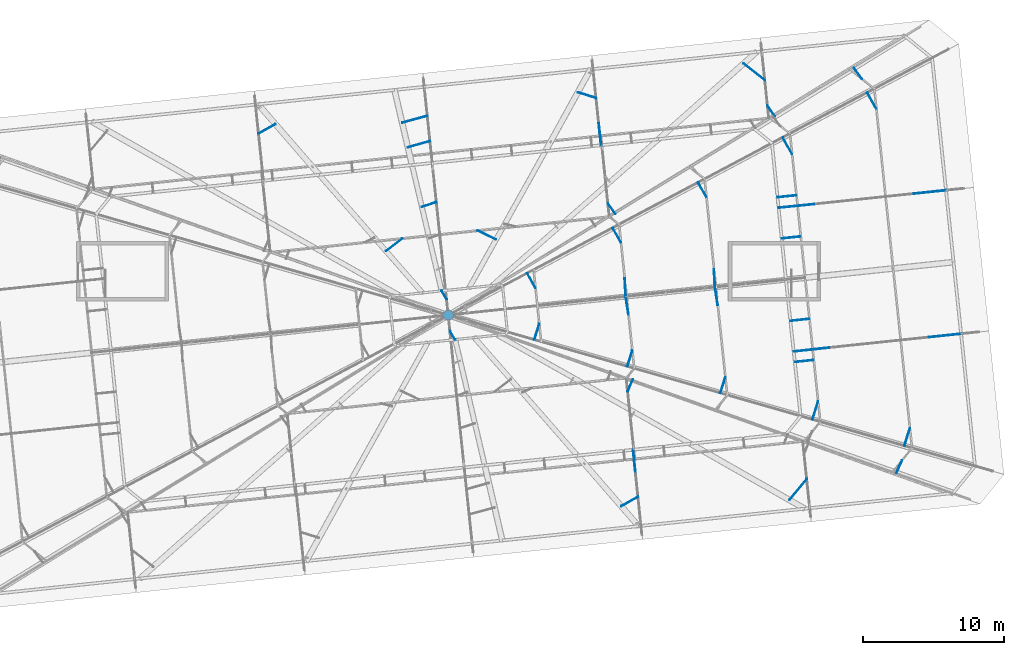
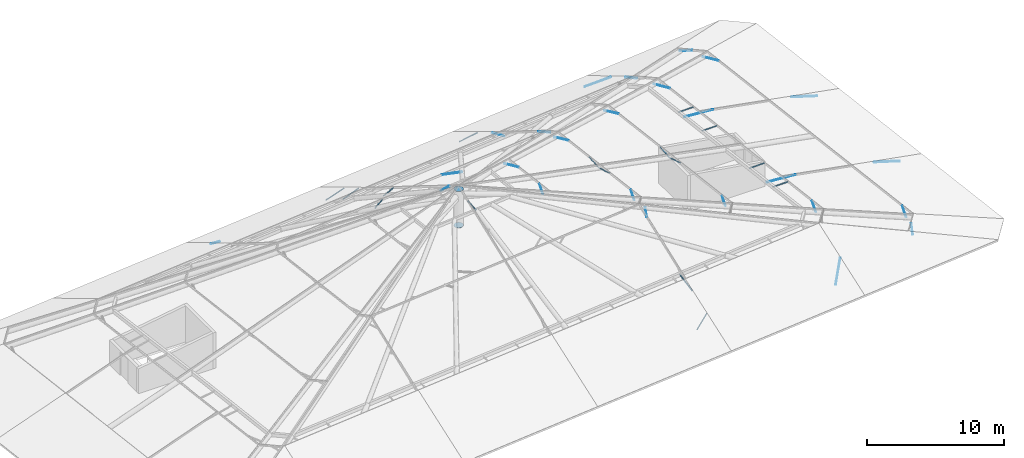
# One storey, part 8 of 20: 43 discrete accessories.
"""IFC4 building model written with IfcOpenShell, lengths in metres."""

from ifc_helpers import new_model, si_unit, direction, frame, origin, origin_2d, place, context, subcontext, project, spatial, rectangle, circle, extrude, material, material_profile, profile_set, type_object, element, save


model = new_model("IFC4")

# Units and contexts
model_context = context("Model", 3, precision=1e-05, world=origin(), true_north=direction((0.0, 1.0)))
body_context = subcontext(model_context, "Body", "Model", "MODEL_VIEW")
ifc_project = project(units=[si_unit("LENGTHUNIT", "METRE"), si_unit("AREAUNIT", "SQUARE_METRE"), si_unit("VOLUMEUNIT", "CUBIC_METRE"), si_unit("PLANEANGLEUNIT", "RADIAN"), si_unit("MASSUNIT", "GRAM", prefix="KILO")], contexts=[model_context])

# Site, building, storey
site_placement = place(None, origin())
site = spatial("IfcSite", under=ifc_project, at=site_placement, CompositionType="ELEMENT")
building_placement = place(site_placement, origin())
building = spatial("IfcBuilding", under=site, at=building_placement, Name="Hakoniwa Tower and Hamabe Station Hall", CompositionType="ELEMENT")
storey_placement = place(building_placement, frame((0.0, 0.0, 285.0)))
storey = spatial("IfcBuildingStorey", under=building, at=storey_placement, Name="Roof", CompositionType="ELEMENT", Elevation=285.0)

# Discrete accessories
ifc_material_1 = material(Name="Stainless steel SUS304", Category="steel")
ifc_material_profile_1 = material_profile(ifc_material_1, rectangle(XDim=0.050048828125, YDim=0.050048828125, at=origin_2d()), Name="CW-4 GLAZING BRACKET 50X50")
ifc_profile_set_1 = profile_set([ifc_material_profile_1], Name="Stainless steel SUS304")
discrete_accessory_type_1 = type_object("IfcDiscreteAccessoryType", Name="CW-4 GLAZING BRACKET 50X50", PredefinedType="BRACKET", material=ifc_profile_set_1)
discrete_accessory_1_placement = place(storey_placement, frame((0.12060546875, 1.351806640625, 9.220458984375), z_axis=(0.391815806953, -0.630071479464, -0.670440380786), x_axis=(0.849194817947, 0.528079692065, 0.0)))
element("IfcDiscreteAccessory", 1, at=discrete_accessory_1_placement, inside=storey, type_object=discrete_accessory_type_1, Name="Glazing bracket", PredefinedType="BRACKET", context=body_context, shape_type="SweptSolid", body=[
    extrude(rectangle(XDim=0.050048828125, YDim=0.050048828125, at=origin_2d()), origin(), (0.0, 0.0, 1.0), 0.92529296875),
])
discrete_accessory_2_placement = place(storey_placement, frame((12.75341796875, -2.923583984375, 5.94921875), z_axis=(0.377320566867, 0.901136289674, 0.213500766397), x_axis=(-0.922404260302, 0.386225815524, 0.0)))
element("IfcDiscreteAccessory", 2, at=discrete_accessory_2_placement, inside=storey, type_object=discrete_accessory_type_1, Name="Glazing bracket", PredefinedType="BRACKET", context=body_context, shape_type="SweptSolid", body=[
    extrude(rectangle(XDim=0.050048828125, YDim=0.050048828125, at=origin_2d()), origin(), (0.0, 0.0, 1.0), 0.958251953125),
])
discrete_accessory_3_placement = place(storey_placement, frame((-0.8447265625, 10.53759765625, 5.155029296875), z_axis=(-0.940744946867, -0.307474826604, -0.143032080143), x_axis=(0.310669109987, -0.950518124025, 0.0)))
element("IfcDiscreteAccessory", 3, at=discrete_accessory_3_placement, inside=storey, type_object=discrete_accessory_type_1, Name="Glazing bracket", PredefinedType="BRACKET", context=body_context, shape_type="SweptSolid", body=[
    extrude(rectangle(XDim=0.050048828125, YDim=0.050048828125, at=origin_2d()), origin(), (0.0, 0.0, 1.0), 1.10595703125),
])
discrete_accessory_4_placement = place(storey_placement, frame((-0.12060546875, 3.648193359375, 9.220458984375), z_axis=(-0.391815806953, 0.630071479464, -0.670440380786), x_axis=(-0.849194817947, -0.528079692065, 0.0)))
element("IfcDiscreteAccessory", 4, at=discrete_accessory_4_placement, inside=storey, type_object=discrete_accessory_type_1, Name="Glazing bracket", PredefinedType="BRACKET", context=body_context, shape_type="SweptSolid", body=[
    extrude(rectangle(XDim=0.050048828125, YDim=0.050048828125, at=origin_2d()), origin(), (0.0, 0.0, 1.0), 0.92529296875),
])
discrete_accessory_5_placement = place(storey_placement, frame((11.346923828125, 10.45654296875, 5.94921875), z_axis=(0.556518453316, -0.802925662271, 0.213535926685), x_axis=(0.821882201183, 0.569657482509, 0.0)))
element("IfcDiscreteAccessory", 5, at=discrete_accessory_5_placement, inside=storey, type_object=discrete_accessory_type_1, Name="Glazing bracket", PredefinedType="BRACKET", context=body_context, shape_type="SweptSolid", body=[
    extrude(rectangle(XDim=0.050048828125, YDim=0.050048828125, at=origin_2d()), origin(), (0.0, 0.0, 1.0), 0.9580078125),
])
discrete_accessory_6_placement = place(storey_placement, frame((13.29833984375, -8.617919921875, 2.616943359375), z_axis=(-0.097948433846, 0.93175460836, 0.349627593458), x_axis=(-0.994520000223, -0.104546492795, 0.0)))
element("IfcDiscreteAccessory", 6, at=discrete_accessory_6_placement, inside=storey, type_object=discrete_accessory_type_1, Name="Glazing bracket", PredefinedType="BRACKET", context=body_context, shape_type="SweptSolid", body=[
    extrude(rectangle(XDim=0.050048828125, YDim=0.050048828125, at=origin_2d()), origin(), (0.0, 0.0, 1.0), 1.66748046875),
])
discrete_accessory_7_placement = place(storey_placement, frame((13.48681640625, -10.411376953125, 1.606201171875), z_axis=(-0.799200015145, -0.448997961845, -0.399600007572), x_axis=(0.489803701114, -0.871832744496, 0.0)))
element("IfcDiscreteAccessory", 7, at=discrete_accessory_7_placement, inside=storey, type_object=discrete_accessory_type_1, Name="Glazing bracket", PredefinedType="BRACKET", context=body_context, shape_type="SweptSolid", body=[
    extrude(rectangle(XDim=0.050048828125, YDim=0.050048828125, at=origin_2d()), origin(), (0.0, 0.0, 1.0), 1.49267578125),
])
discrete_accessory_8_placement = place(storey_placement, frame((25.484130859375, -9.150390625, 1.606201171875), z_axis=(-0.563229543667, -0.675165452581, -0.476365503349), x_axis=(0.76789023079, -0.640581449511, 0.0)))
element("IfcDiscreteAccessory", 8, at=discrete_accessory_8_placement, inside=storey, type_object=discrete_accessory_type_1, Name="Glazing bracket", PredefinedType="BRACKET", context=body_context, shape_type="SweptSolid", body=[
    extrude(rectangle(XDim=0.050048828125, YDim=0.050048828125, at=origin_2d()), origin(), (0.0, 0.0, 1.0), 2.20068359375),
])
discrete_accessory_9_placement = place(storey_placement, frame((-13.48681640625, 15.411376953125, 1.606201171875), z_axis=(0.799200015145, 0.448997961845, -0.399600007572), x_axis=(-0.489803701114, 0.871832744496, 0.0)))
element("IfcDiscreteAccessory", 9, at=discrete_accessory_9_placement, inside=storey, type_object=discrete_accessory_type_1, Name="Glazing bracket", PredefinedType="BRACKET", context=body_context, shape_type="SweptSolid", body=[
    extrude(rectangle(XDim=0.050048828125, YDim=0.050048828125, at=origin_2d()), origin(), (0.0, 0.0, 1.0), 1.49267578125),
])
discrete_accessory_10_placement = place(storey_placement, frame((-1.489501953125, 16.67236328125, 1.606201171875), z_axis=(-0.962515279672, -0.262943753252, -0.066520064814), x_axis=(0.263527443462, -0.964651899154, 0.0)))
element("IfcDiscreteAccessory", 10, at=discrete_accessory_10_placement, inside=storey, type_object=discrete_accessory_type_1, Name="Glazing bracket", PredefinedType="BRACKET", context=body_context, shape_type="SweptSolid", body=[
    extrude(rectangle(XDim=0.050048828125, YDim=0.050048828125, at=origin_2d()), origin(), (0.0, 0.0, 1.0), 1.8681640625),
])
discrete_accessory_11_placement = place(storey_placement, frame((-1.301025390625, 14.87890625, 2.616943359375), z_axis=(-0.958908684136, -0.27136685491, -0.082789887939), x_axis=(0.272301659819, -0.962211934067, 0.0)))
element("IfcDiscreteAccessory", 11, at=discrete_accessory_11_placement, inside=storey, type_object=discrete_accessory_type_1, Name="Glazing bracket", PredefinedType="BRACKET", context=body_context, shape_type="SweptSolid", body=[
    extrude(rectangle(XDim=0.050048828125, YDim=0.050048828125, at=origin_2d()), origin(), (0.0, 0.0, 1.0), 1.6455078125),
])
discrete_accessory_12_placement = place(storey_placement, frame((10.507568359375, 17.933349609375, 1.606201171875), z_axis=(-0.875057424152, 0.273036238719, -0.399656998916), x_axis=(-0.297858334336, -0.954610084101, 0.0)))
element("IfcDiscreteAccessory", 12, at=discrete_accessory_12_placement, inside=storey, type_object=discrete_accessory_type_1, Name="Glazing bracket", PredefinedType="BRACKET", context=body_context, shape_type="SweptSolid", body=[
    extrude(rectangle(XDim=0.050048828125, YDim=0.050048828125, at=origin_2d()), origin(), (0.0, 0.0, 1.0), 1.492431640625),
])
discrete_accessory_13_placement = place(storey_placement, frame((10.696044921875, 16.139892578125, 2.616943359375), z_axis=(0.097948433846, -0.93175460836, 0.349627593458), x_axis=(0.994520000223, 0.104546492795, 0.0)))
element("IfcDiscreteAccessory", 13, at=discrete_accessory_13_placement, inside=storey, type_object=discrete_accessory_type_1, Name="Glazing bracket", PredefinedType="BRACKET", context=body_context, shape_type="SweptSolid", body=[
    extrude(rectangle(XDim=0.050048828125, YDim=0.050048828125, at=origin_2d()), origin(), (0.0, 0.0, 1.0), 1.66748046875),
])
discrete_accessory_14_placement = place(storey_placement, frame((22.5048828125, 19.1943359375, 1.606201171875), z_axis=(-0.691291182379, 0.543292075126, -0.476392928444), x_axis=(-0.617916283925, -0.786243897312, 0.0)))
element("IfcDiscreteAccessory", 14, at=discrete_accessory_14_placement, inside=storey, type_object=discrete_accessory_type_1, Name="Glazing bracket", PredefinedType="BRACKET", context=body_context, shape_type="SweptSolid", body=[
    extrude(rectangle(XDim=0.050048828125, YDim=0.050048828125, at=origin_2d()), origin(), (0.0, 0.0, 1.0), 2.20068359375),
])
discrete_accessory_15_placement = place(storey_placement, frame((22.693359375, 17.40087890625, 2.616943359375), z_axis=(0.551562919111, -0.814435459284, 0.180203298868), x_axis=(0.827990165811, 0.560742619497, 0.0)))
element("IfcDiscreteAccessory", 15, at=discrete_accessory_15_placement, inside=storey, type_object=discrete_accessory_type_1, Name="Glazing bracket", PredefinedType="BRACKET", context=body_context, shape_type="SweptSolid", body=[
    extrude(rectangle(XDim=0.050048828125, YDim=0.050048828125, at=origin_2d()), origin(), (0.0, 0.0, 1.0), 0.936279296875),
])
for number, where, z_axis, x_axis, name in (
    (16, (6.192626953125, 4.442626953125, 8.212158203125), (-0.487143079616, 0.868731686407, -0.089425259376), (-0.872226229733, -0.489102651972, 0.0), "Glazing bracket"),
    (17, (6.461181640625, 1.88720703125, 8.212158203125), (-0.295847336037, -0.951039952561, -0.089427973212), (0.954865821134, -0.297037478494, 0.0), "Glazing bracket"),
):
    element("IfcDiscreteAccessory", number, at=place(storey_placement, frame(where, z_axis=z_axis, x_axis=x_axis)), inside=storey, type_object=discrete_accessory_type_1, Name=name, PredefinedType="BRACKET", context=body_context, shape_type="SweptSolid", body=[
        extrude(rectangle(XDim=0.050048828125, YDim=0.050048828125, at=origin_2d()), origin(), (0.0, 0.0, 1.0), 1.19580078125),
    ])
discrete_accessory_16_placement = place(storey_placement, frame((12.27001953125, 7.67138671875, 6.51220703125), z_axis=(-0.488732317078, 0.866685308952, -0.099986486536), x_axis=(-0.871050320527, -0.491193789771, 0.0)))
element("IfcDiscreteAccessory", 18, at=discrete_accessory_16_placement, inside=storey, type_object=discrete_accessory_type_1, Name="Glazing bracket", PredefinedType="BRACKET", context=body_context, shape_type="SweptSolid", body=[
    extrude(rectangle(XDim=0.050048828125, YDim=0.050048828125, at=origin_2d()), origin(), (0.0, 0.0, 1.0), 1.198974609375),
])
discrete_accessory_17_placement = place(storey_placement, frame((12.5390625, 5.11181640625, 6.51220703125), z_axis=(0.055001381372, -0.982380604913, -0.178614655439), x_axis=(0.99843635527, 0.055900308371, 0.0)))
element("IfcDiscreteAccessory", 19, at=discrete_accessory_17_placement, inside=storey, type_object=discrete_accessory_type_1, Name="Glazing bracket", PredefinedType="BRACKET", context=body_context, shape_type="SweptSolid", body=[
    extrude(rectangle(XDim=0.050048828125, YDim=0.050048828125, at=origin_2d()), origin(), (0.0, 0.0, 1.0), 1.3095703125),
])
discrete_accessory_18_placement = place(storey_placement, frame((12.80810546875, 2.55224609375, 6.51220703125), z_axis=(-0.150466406426, 0.972344869284, -0.178620591519), x_axis=(-0.988237680768, -0.152925754243, 0.0)))
element("IfcDiscreteAccessory", 20, at=discrete_accessory_18_placement, inside=storey, type_object=discrete_accessory_type_1, Name="Glazing bracket", PredefinedType="BRACKET", context=body_context, shape_type="SweptSolid", body=[
    extrude(rectangle(XDim=0.050048828125, YDim=0.050048828125, at=origin_2d()), origin(), (0.0, 0.0, 1.0), 1.309326171875),
])
discrete_accessory_19_placement = place(storey_placement, frame((13.0771484375, -0.00732421875, 6.51220703125), z_axis=(-0.297916422298, -0.949341326558, -0.099984253827), x_axis=(0.954122415347, -0.299416794005, 0.0)))
element("IfcDiscreteAccessory", 21, at=discrete_accessory_19_placement, inside=storey, type_object=discrete_accessory_type_1, Name="Glazing bracket", PredefinedType="BRACKET", context=body_context, shape_type="SweptSolid", body=[
    extrude(rectangle(XDim=0.050048828125, YDim=0.050048828125, at=origin_2d()), origin(), (0.0, 0.0, 1.0), 1.198974609375),
])
discrete_accessory_20_placement = place(storey_placement, frame((18.347412109375, 10.901611328125, 4.812255859375), z_axis=(-0.490543199808, 0.864396885861, -0.110387466844), x_axis=(-0.869712018535, -0.4935595251, 0.0)))
element("IfcDiscreteAccessory", 22, at=discrete_accessory_20_placement, inside=storey, type_object=discrete_accessory_type_1, Name="Glazing bracket", PredefinedType="BRACKET", context=body_context, shape_type="SweptSolid", body=[
    extrude(rectangle(XDim=0.050048828125, YDim=0.050048828125, at=origin_2d()), origin(), (0.0, 0.0, 1.0), 1.200927734375),
])
for number, where, z_axis, x_axis, name in (
    (23, (18.8857421875, 5.779541015625, 4.812255859375), (0.051878123809, -0.980477945674, -0.18966195801), (0.998603142337, 0.05283714711, 0.0), "Glazing bracket"),
    (24, (19.155029296875, 3.21875, 4.812255859375), (-0.153208471756, 0.969824500827, -0.189651263582), (-0.987750678846, -0.156040367977, 0.0), "Glazing bracket"),
):
    element("IfcDiscreteAccessory", number, at=place(storey_placement, frame(where, z_axis=z_axis, x_axis=x_axis)), inside=storey, type_object=discrete_accessory_type_1, Name=name, PredefinedType="BRACKET", context=body_context, shape_type="SweptSolid", body=[
        extrude(rectangle(XDim=0.050048828125, YDim=0.050048828125, at=origin_2d()), origin(), (0.0, 0.0, 1.0), 1.31298828125),
    ])
discrete_accessory_21_placement = place(storey_placement, frame((19.693359375, -1.9033203125, 4.812255859375), z_axis=(-0.300234887857, -0.947457557415, -0.110377484161), x_axis=(0.95328236256, -0.302080680005, 0.0)))
element("IfcDiscreteAccessory", 25, at=discrete_accessory_21_placement, inside=storey, type_object=discrete_accessory_type_1, Name="Glazing bracket", PredefinedType="BRACKET", context=body_context, shape_type="SweptSolid", body=[
    extrude(rectangle(XDim=0.050048828125, YDim=0.050048828125, at=origin_2d()), origin(), (0.0, 0.0, 1.0), 1.200927734375),
])
discrete_accessory_22_placement = place(storey_placement, frame((24.439453125, 13.94677734375, 3.101806640625), z_axis=(-0.484419585685, 0.871241560553, -0.079219998543), x_axis=(-0.873988368618, -0.485946840221, 0.0)))
element("IfcDiscreteAccessory", 26, at=discrete_accessory_22_placement, inside=storey, type_object=discrete_accessory_type_1, Name="Glazing bracket", PredefinedType="BRACKET", context=body_context, shape_type="SweptSolid", body=[
    extrude(rectangle(XDim=0.050048828125, YDim=0.050048828125, at=origin_2d()), origin(), (0.0, 0.0, 1.0), 1.368408203125),
])
discrete_accessory_23_placement = place(storey_placement, frame((24.7470703125, 11.019775390625, 3.101806640625), z_axis=(-0.992242406167, -0.101234572554, 0.072156557033), x_axis=(0.101499148533, -0.994835626044, 0.0)))
element("IfcDiscreteAccessory", 27, at=discrete_accessory_23_placement, inside=storey, type_object=discrete_accessory_type_1, Name="Glazing bracket", PredefinedType="BRACKET", context=body_context, shape_type="SweptSolid", body=[
    extrude(rectangle(XDim=0.050048828125, YDim=0.050048828125, at=origin_2d()), origin(), (0.0, 0.0, 1.0), 1.360107421875),
])
for number, where, z_axis, x_axis, name in (
    (28, (25.0546875, 8.0927734375, 3.10205078125), (-0.992303181265, -0.10110258828, 0.071502888713), (0.10136203529, -0.99484960562, 0.0), "Glazing bracket"),
    (29, (25.669921875, 2.23876953125, 3.10205078125), (-0.991646516565, -0.107349613913, 0.071506968736), (0.107625123449, -0.99419154734, 0.0), "Glazing bracket"),
):
    element("IfcDiscreteAccessory", number, at=place(storey_placement, frame(where, z_axis=z_axis, x_axis=x_axis)), inside=storey, type_object=discrete_accessory_type_1, Name=name, PredefinedType="BRACKET", context=body_context, shape_type="SweptSolid", body=[
        extrude(rectangle(XDim=0.050048828125, YDim=0.050048828125, at=origin_2d()), origin(), (0.0, 0.0, 1.0), 1.369140625),
    ])
discrete_accessory_24_placement = place(storey_placement, frame((25.9775390625, -0.688232421875, 3.10205078125), z_axis=(-0.991612338838, -0.107346882445, 0.071983444583), x_axis=(0.107626083125, -0.994191443451, 0.0)))
element("IfcDiscreteAccessory", 30, at=discrete_accessory_24_placement, inside=storey, type_object=discrete_accessory_type_1, Name="Glazing bracket", PredefinedType="BRACKET", context=body_context, shape_type="SweptSolid", body=[
    extrude(rectangle(XDim=0.050048828125, YDim=0.050048828125, at=origin_2d()), origin(), (0.0, 0.0, 1.0), 1.360107421875),
])
discrete_accessory_25_placement = place(storey_placement, frame((26.28515625, -3.615234375, 3.10205078125), z_axis=(-0.292556023891, -0.95294773148, -0.079382579653), x_axis=(0.955964541857, -0.293482188065, 0.0)))
element("IfcDiscreteAccessory", 31, at=discrete_accessory_25_placement, inside=storey, type_object=discrete_accessory_type_1, Name="Glazing bracket", PredefinedType="BRACKET", context=body_context, shape_type="SweptSolid", body=[
    extrude(rectangle(XDim=0.050048828125, YDim=0.050048828125, at=origin_2d()), origin(), (0.0, 0.0, 1.0), 1.36865234375),
])
discrete_accessory_26_placement = place(storey_placement, frame((30.4267578125, 17.176513671875, 1.511962890625), z_axis=(-0.486989825112, 0.868168205763, -0.095524220693), x_axis=(-0.872156484964, -0.489227008387, 0.0)))
element("IfcDiscreteAccessory", 32, at=discrete_accessory_26_placement, inside=storey, type_object=discrete_accessory_type_1, Name="Glazing bracket", PredefinedType="BRACKET", context=body_context, shape_type="SweptSolid", body=[
    extrude(rectangle(XDim=0.050048828125, YDim=0.050048828125, at=origin_2d()), origin(), (0.0, 0.0, 1.0), 1.3291015625),
])
discrete_accessory_27_placement = place(storey_placement, frame((32.8134765625, -5.52978515625, 1.511962890625), z_axis=(-0.295979475711, -0.950404610709, -0.095536516058), x_axis=(0.954771807636, -0.297339528726, 0.0)))
element("IfcDiscreteAccessory", 33, at=discrete_accessory_27_placement, inside=storey, type_object=discrete_accessory_type_1, Name="Glazing bracket", PredefinedType="BRACKET", context=body_context, shape_type="SweptSolid", body=[
    extrude(rectangle(XDim=0.050048828125, YDim=0.050048828125, at=origin_2d()), origin(), (0.0, 0.0, 1.0), 1.328857421875),
])
discrete_accessory_28_placement = place(storey_placement, frame((32.257080078125, -7.8134765625, 1.51318359375), z_axis=(-0.388546414269, -0.866159259463, -0.314324388499), x_axis=(0.912403868256, -0.409291071478, 0.0)))
element("IfcDiscreteAccessory", 34, at=discrete_accessory_28_placement, inside=storey, type_object=discrete_accessory_type_1, Name="Glazing bracket", PredefinedType="BRACKET", context=body_context, shape_type="SweptSolid", body=[
    extrude(rectangle(XDim=0.050048828125, YDim=0.050048828125, at=origin_2d()), origin(), (0.0, 0.0, 1.0), 1.0361328125),
])
discrete_accessory_29_placement = place(storey_placement, frame((29.407958984375, 19.294677734375, 1.51318359375), z_axis=(-0.560244048832, 0.76638935696, -0.314283246906), x_axis=(-0.807295625031, -0.590147247563, 0.0)))
element("IfcDiscreteAccessory", 35, at=discrete_accessory_29_placement, inside=storey, type_object=discrete_accessory_type_1, Name="Glazing bracket", PredefinedType="BRACKET", context=body_context, shape_type="SweptSolid", body=[
    extrude(rectangle(XDim=0.050048828125, YDim=0.050048828125, at=origin_2d()), origin(), (0.0, 0.0, 1.0), 1.036376953125),
])
discrete_accessory_30_placement = place(storey_placement, frame((26.01025390625, 10.39208984375, 2.810302734375), z_axis=(-0.98342583669, -0.10024525566, 0.151077835726), x_axis=(0.101409244143, -0.994844794529, 0.0)))
element("IfcDiscreteAccessory", 36, at=discrete_accessory_30_placement, inside=storey, type_object=discrete_accessory_type_1, Name="Glazing bracket", PredefinedType="BRACKET", context=body_context, shape_type="SweptSolid", body=[
    extrude(rectangle(XDim=0.050048828125, YDim=0.050048828125, at=origin_2d()), origin(), (0.0, 0.0, 1.0), 2.5791015625),
])
discrete_accessory_31_placement = place(storey_placement, frame((33.09716796875, 11.136962890625, 0.996826171875), z_axis=(0.932879934524, 0.09801383911, -0.346595318932), x_axis=(-0.104490721866, 0.994525861425, 0.0)))
element("IfcDiscreteAccessory", 37, at=discrete_accessory_31_placement, inside=storey, type_object=discrete_accessory_type_1, Name="Glazing bracket", PredefinedType="BRACKET", context=body_context, shape_type="SweptSolid", body=[
    extrude(rectangle(XDim=0.050048828125, YDim=0.050048828125, at=origin_2d()), origin(), (0.0, 0.0, 1.0), 2.443603515625),
])
discrete_accessory_32_placement = place(storey_placement, frame((27.082763671875, 0.188232421875, 2.810302734375), z_axis=(-0.982778634484, -0.106399844458, 0.151080206187), x_axis=(0.107635335825, -0.994190441757, 0.0)))
element("IfcDiscreteAccessory", 38, at=discrete_accessory_32_placement, inside=storey, type_object=discrete_accessory_type_1, Name="Glazing bracket", PredefinedType="BRACKET", context=body_context, shape_type="SweptSolid", body=[
    extrude(rectangle(XDim=0.050048828125, YDim=0.050048828125, at=origin_2d()), origin(), (0.0, 0.0, 1.0), 2.5791015625),
])
discrete_accessory_33_placement = place(storey_placement, frame((34.16943359375, 0.93310546875, 0.996826171875), z_axis=(0.93289289482, 0.098004704414, -0.346563016934), x_axis=(-0.104479654181, 0.994527024199, 0.0)))
element("IfcDiscreteAccessory", 39, at=discrete_accessory_33_placement, inside=storey, type_object=discrete_accessory_type_1, Name="Glazing bracket", PredefinedType="BRACKET", context=body_context, shape_type="SweptSolid", body=[
    extrude(rectangle(XDim=0.050048828125, YDim=0.050048828125, at=origin_2d()), origin(), (0.0, 0.0, 1.0), 2.44384765625),
])
discrete_accessory_34_placement = place(storey_placement, frame((-3.280029296875, 7.9501953125, 6.5146484375), z_axis=(-0.784464612179, -0.60847890024, 0.119869513226), x_axis=(0.612898106817, -0.790161952172, 0.0)))
element("IfcDiscreteAccessory", 40, at=discrete_accessory_34_placement, inside=storey, type_object=discrete_accessory_type_1, Name="Glazing bracket", PredefinedType="BRACKET", context=body_context, shape_type="SweptSolid", body=[
    extrude(rectangle(XDim=0.050048828125, YDim=0.050048828125, at=origin_2d()), origin(), (0.0, 0.0, 1.0), 1.470458984375),
])
discrete_accessory_35_placement = place(storey_placement, frame((2.074951171875, 8.51318359375, 6.5146484375), z_axis=(0.893779626858, -0.432200956052, 0.119834520073), x_axis=(0.435338054393, 0.900267059487, 0.0)))
element("IfcDiscreteAccessory", 41, at=discrete_accessory_35_placement, inside=storey, type_object=discrete_accessory_type_1, Name="Glazing bracket", PredefinedType="BRACKET", context=body_context, shape_type="SweptSolid", body=[
    extrude(rectangle(XDim=0.050048828125, YDim=0.050048828125, at=origin_2d()), origin(), (0.0, 0.0, 1.0), 1.470947265625),
])
ifc_material_2 = material(Name="Steel STK490", Category="steel")
ifc_material_profile_2 = material_profile(ifc_material_2, circle(Radius=0.355712890625, at=origin_2d()), Name="END CAP PLATE CHS-711.2x25")
ifc_profile_set_2 = profile_set([ifc_material_profile_2], Name="Steel STK490")
discrete_accessory_type_2 = type_object("IfcDiscreteAccessoryType", Name="END CAP PLATE CHS-711.2x25", PredefinedType="USERDEFINED", material=ifc_profile_set_2)
discrete_accessory_36_placement = place(storey_placement, frame((0.0, 2.5, 6.375), z_axis=(0.0, 0.0, 1.0), x_axis=(1.0, 0.0, 0.0)))
element("IfcDiscreteAccessory", 42, at=discrete_accessory_36_placement, inside=storey, type_object=discrete_accessory_type_2, Name="End cap plate CM-01", ObjectType="END CAP PLATE", PredefinedType="USERDEFINED", context=body_context, shape_type="SweptSolid", body=[
    extrude(circle(Radius=0.355712890625, at=origin_2d()), origin(), (0.0, 0.0, 1.0), 0.02490234375),
])
discrete_accessory_37_placement = place(storey_placement, frame((0.0, 2.5, 9.616943359375), z_axis=(0.0, 0.0, 1.0), x_axis=(1.0, 0.0, 0.0)))
element("IfcDiscreteAccessory", 43, at=discrete_accessory_37_placement, inside=storey, type_object=discrete_accessory_type_2, Name="End cap plate CM-01", ObjectType="END CAP PLATE", PredefinedType="USERDEFINED", context=body_context, shape_type="SweptSolid", body=[
    extrude(circle(Radius=0.355712890625, at=origin_2d()), origin(), (0.0, 0.0, 1.0), 0.025146484375),
])

save(model, "model.ifc")
